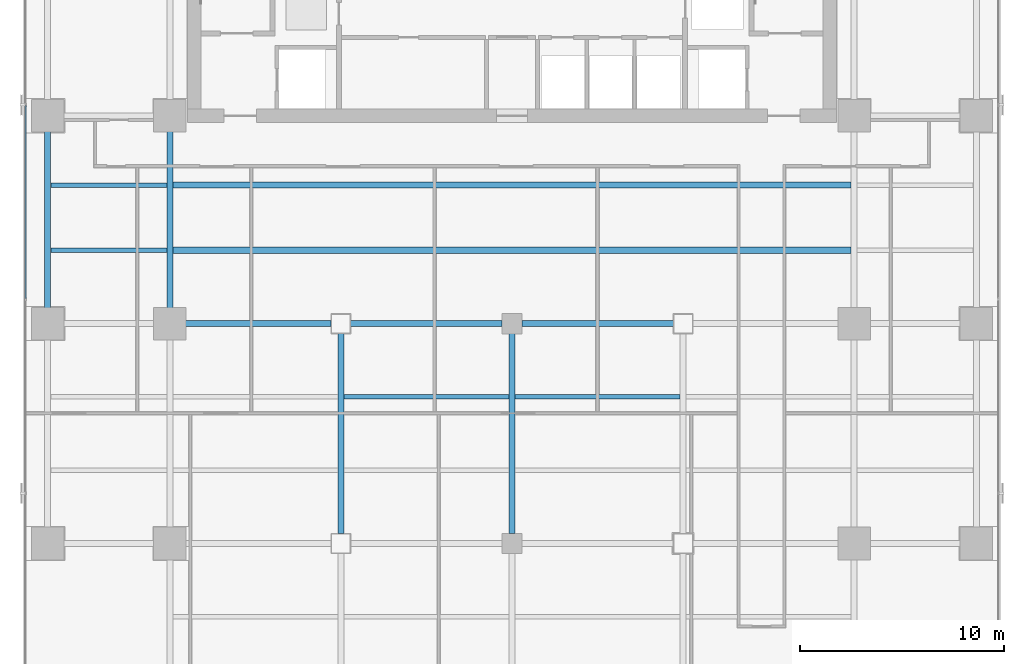
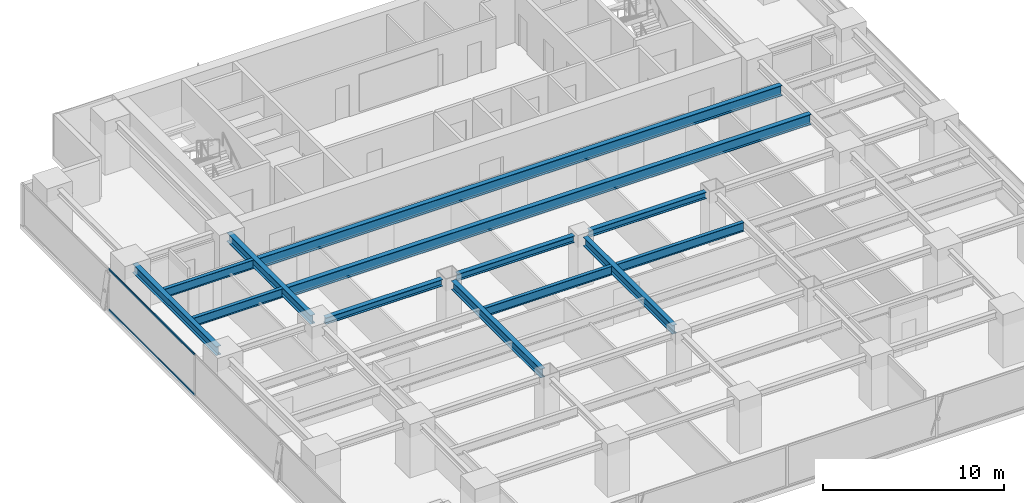
# One storey, part 8 of 29: 13 beams, 2 members, 1 element without a shape of its own.
"""IFC4 building model written with IfcOpenShell, lengths in metres."""

from ifc_helpers import new_model, si_unit, direction, frame, origin, origin_2d, place, context, subcontext, project, spatial, hollow_rectangle, i_section, extrude, source, transform, mapped, material, layer, layer_set, material_profile, profile_set, type_object, element, aggregate, save


model = new_model("IFC4")

# Units and contexts
model_context = context("Model", 3, precision=1e-05, world=origin(), true_north=direction((0.0, 1.0)))
body_context = subcontext(model_context, "Body", "Model", "MODEL_VIEW")
ifc_project = project(units=[si_unit("LENGTHUNIT", "METRE"), si_unit("AREAUNIT", "SQUARE_METRE"), si_unit("VOLUMEUNIT", "CUBIC_METRE"), si_unit("PLANEANGLEUNIT", "RADIAN"), si_unit("MASSUNIT", "GRAM", prefix="KILO")], contexts=[model_context])

# Site, building, storey
site_placement = place(None, origin())
site = spatial("IfcSite", under=ifc_project, at=site_placement, CompositionType="ELEMENT")
building_placement = place(site_placement, origin())
building = spatial("IfcBuilding", under=site, at=building_placement, Name="Sumidabori Civic Tower", CompositionType="ELEMENT")
storey_placement = place(building_placement, frame((0.0, 0.0, 131.60009765625)))
storey = spatial("IfcBuildingStorey", under=building, at=storey_placement, Name="L33", CompositionType="ELEMENT", Elevation=131.60009765625)

# Beams
ifc_material_1 = material(Name="Steel SN490", Category="steel")
ifc_material_profile_1 = material_profile(ifc_material_1, i_section(OverallWidth=0.300048828125, OverallDepth=0.60009765625, WebThickness=0.015380859375, FlangeThickness=0.030029296875, at=origin_2d()), Name="HE 600 B")
ifc_profile_set_1 = profile_set([ifc_material_profile_1], Name="Steel SN490")
beam_type_1 = type_object("IfcBeamType", Name="BM-GIRD-600", PredefinedType="BEAM", material=ifc_profile_set_1)
shared_shape_1 = source(origin(), body_context, "Body", "SweptSolid", [
    extrude(i_section(OverallWidth=0.300048828125, OverallDepth=0.60009765625, WebThickness=0.015380859375, FlangeThickness=0.030029296875, at=origin_2d()), origin(), (0.0, 0.0, 1.0), 9.840087890625),
])
for number, where, z_axis, x_axis, name in (
    (1, (-8.39990234375, -10.320068359375, 3.079833984375), (0.0, 1.0, 0.0), (-1.0, 0.0, 0.0), "Primary Girder L33 GY-27"),
    (2, (0.0, -10.320068359375, 3.079833984375), (0.0, 1.0, 0.0), (-1.0, 0.0, 0.0), "Primary Girder L33 GY-29"),
):
    element("IfcBeam", number, at=place(storey_placement, frame(where, z_axis=z_axis, x_axis=x_axis)), inside=storey, type_object=beam_type_1, Name=name, PredefinedType="BEAM", context=body_context, shape_type="MappedRepresentation", body=[
        mapped(shared_shape_1, transform((0.0, 0.0, 0.0), x_axis=(1.0, 0.0, 0.0), y_axis=(0.0, 1.0, 0.0), z_axis=(0.0, 0.0, 1.0), scale=1.0)),
    ])
shared_shape_2 = source(origin(), body_context, "Body", "SweptSolid", [
    extrude(i_section(OverallWidth=0.300048828125, OverallDepth=0.60009765625, WebThickness=0.015380859375, FlangeThickness=0.030029296875, at=origin_2d()), origin(), (0.0, 0.0, 1.0), 9.239990234375),
])
for number, where, z_axis, x_axis, name in (
    (3, (-22.800048828125, 0.47998046875, 3.079833984375), (0.0, 1.0, 0.0), (-1.0, 0.0, 0.0), "Primary Girder L33 GY-20"),
    (4, (-16.800048828125, 0.47998046875, 3.079833984375), (0.0, 1.0, 0.0), (-1.0, 0.0, 0.0), "Primary Girder L33 GY-24"),
):
    element("IfcBeam", number, at=place(storey_placement, frame(where, z_axis=z_axis, x_axis=x_axis)), inside=storey, type_object=beam_type_1, Name=name, PredefinedType="BEAM", context=body_context, shape_type="MappedRepresentation", body=[
        mapped(shared_shape_2, transform((0.0, 0.0, 0.0), x_axis=(1.0, 0.0, 0.0), y_axis=(0.0, 1.0, 0.0), z_axis=(0.0, 0.0, 1.0), scale=1.0)),
    ])
ifc_material_profile_2 = material_profile(ifc_material_1, i_section(OverallWidth=0.300048828125, OverallDepth=0.699951171875, WebThickness=0.01708984375, FlangeThickness=0.031982421875, at=origin_2d()), Name="HE 700 B")
ifc_profile_set_2 = profile_set([ifc_material_profile_2], Name="Steel SN490")
beam_type_2 = type_object("IfcBeamType", Name="BM-GIRD-700", PredefinedType="BEAM", material=ifc_profile_set_2)
shared_shape_3 = source(origin(), body_context, "Body", "SweptSolid", [
    extrude(i_section(OverallWidth=0.300048828125, OverallDepth=0.699951171875, WebThickness=0.01708984375, FlangeThickness=0.031982421875, at=origin_2d()), origin(), (0.0, 0.0, 1.0), 33.2998046875),
])
for number, where, z_axis, x_axis, name in (
    (5, (-16.64990234375, 3.60009765625, 3.02978515625), (1.0, 0.0, 0.0), (0.0, 1.0, 0.0), "North Bay Floor Beam L33 JSTN-47"),
    (6, (-16.64990234375, 6.800048828125, 3.02978515625), (1.0, 0.0, 0.0), (0.0, 1.0, 0.0), "North Bay Floor Beam L33 JSTN-48"),
):
    element("IfcBeam", number, at=place(storey_placement, frame(where, z_axis=z_axis, x_axis=x_axis)), inside=storey, type_object=beam_type_2, Name=name, PredefinedType="BEAM", context=body_context, shape_type="MappedRepresentation", body=[
        mapped(shared_shape_3, transform((0.0, 0.0, 0.0), x_axis=(1.0, 0.0, 0.0), y_axis=(0.0, 1.0, 0.0), z_axis=(0.0, 0.0, 1.0), scale=1.0)),
    ])
ifc_material_profile_3 = material_profile(ifc_material_1, i_section(OverallWidth=0.219970703125, OverallDepth=0.60009765625, WebThickness=0.011962890625, FlangeThickness=0.01904296875, at=origin_2d()), Name="IPE 600")
ifc_profile_set_3 = profile_set([ifc_material_profile_3], Name="Steel SN490")
beam_type_3 = type_object("IfcBeamType", Name="BM-JST-600", PredefinedType="JOIST", material=ifc_profile_set_3)
shared_shape_4 = source(origin(), body_context, "Body", "SweptSolid", [
    extrude(i_section(OverallWidth=0.219970703125, OverallDepth=0.60009765625, WebThickness=0.011962890625, FlangeThickness=0.01904296875, at=origin_2d()), origin(), (0.0, 0.0, 1.0), 5.699951171875),
])
for number, where, z_axis, x_axis, name in (
    (7, (-22.64990234375, 3.60009765625, 3.079833984375), (1.0, 0.0, 0.0), (0.0, 1.0, 0.0), "Outer Bay Floor Joist L33 JSTO-43"),
    (8, (-22.64990234375, 6.800048828125, 3.079833984375), (1.0, 0.0, 0.0), (0.0, 1.0, 0.0), "Outer Bay Floor Joist L33 JSTO-45"),
):
    element("IfcBeam", number, at=place(storey_placement, frame(where, z_axis=z_axis, x_axis=x_axis)), inside=storey, type_object=beam_type_3, Name=name, PredefinedType="JOIST", context=body_context, shape_type="MappedRepresentation", body=[
        mapped(shared_shape_4, transform((0.0, 0.0, 0.0), x_axis=(1.0, 0.0, 0.0), y_axis=(0.0, 1.0, 0.0), z_axis=(0.0, 0.0, 1.0), scale=1.0)),
    ])
shared_shape_5 = source(origin(), body_context, "Body", "SweptSolid", [
    extrude(i_section(OverallWidth=0.219970703125, OverallDepth=0.60009765625, WebThickness=0.011962890625, FlangeThickness=0.01904296875, at=origin_2d()), origin(), (0.0, 0.0, 1.0), 8.10009765625),
])
for number, where, z_axis, x_axis, name in (
    (9, (-8.25, -3.60009765625, 3.079833984375), (1.0, 0.0, 0.0), (0.0, 1.0, 0.0), "South Bay Floor Joist L33 JSTS-58"),
    (10, (0.14990234375, -3.60009765625, 3.079833984375), (1.0, 0.0, 0.0), (0.0, 1.0, 0.0), "South Bay Floor Joist L33 JSTS-59"),
):
    element("IfcBeam", number, at=place(storey_placement, frame(where, z_axis=z_axis, x_axis=x_axis)), inside=storey, type_object=beam_type_3, Name=name, PredefinedType="JOIST", context=body_context, shape_type="MappedRepresentation", body=[
        mapped(shared_shape_5, transform((0.0, 0.0, 0.0), x_axis=(1.0, 0.0, 0.0), y_axis=(0.0, 1.0, 0.0), z_axis=(0.0, 0.0, 1.0), scale=1.0)),
    ])
ifc_material_profile_4 = material_profile(ifc_material_1, i_section(OverallWidth=0.300048828125, OverallDepth=0.449951171875, WebThickness=0.013916015625, FlangeThickness=0.02587890625, at=origin_2d()), Name="HE 450 B")
ifc_profile_set_4 = profile_set([ifc_material_profile_4], Name="Steel SN490")
beam_type_4 = type_object("IfcBeamType", Name="BM-GIRD-450", PredefinedType="BEAM", material=ifc_profile_set_4)
shared_shape_6 = source(origin(), body_context, "Body", "SweptSolid", [
    extrude(i_section(OverallWidth=0.300048828125, OverallDepth=0.449951171875, WebThickness=0.013916015625, FlangeThickness=0.02587890625, at=origin_2d()), origin(), (0.0, 0.0, 1.0), 7.440185546875),
])
beam_placement = place(storey_placement, frame((-16.320068359375, 0.0, 3.15478515625), z_axis=(1.0, 0.0, 0.0), x_axis=(0.0, 1.0, 0.0)))
element("IfcBeam", 11, at=beam_placement, inside=storey, type_object=beam_type_4, Name="Primary Girder L33 GX-12", PredefinedType="BEAM", context=body_context, shape_type="MappedRepresentation", body=[
    mapped(shared_shape_6, transform((0.0, 0.0, 0.0), x_axis=(1.0, 0.0, 0.0), y_axis=(0.0, 1.0, 0.0), z_axis=(0.0, 0.0, 1.0), scale=1.0)),
])
shared_shape_7 = source(origin(), body_context, "Body", "SweptSolid", [
    extrude(i_section(OverallWidth=0.300048828125, OverallDepth=0.449951171875, WebThickness=0.013916015625, FlangeThickness=0.02587890625, at=origin_2d()), origin(), (0.0, 0.0, 1.0), 7.43994140625),
])
for number, where, z_axis, x_axis, name in (
    (12, (-7.919921875, 0.0, 3.15478515625), (1.0, 0.0, 0.0), (0.0, 1.0, 0.0), "Primary Girder L33 GX-13"),
    (13, (0.47998046875, 0.0, 3.15478515625), (1.0, 0.0, 0.0), (0.0, 1.0, 0.0), "Primary Girder L33 GX-14"),
):
    element("IfcBeam", number, at=place(storey_placement, frame(where, z_axis=z_axis, x_axis=x_axis)), inside=storey, type_object=beam_type_4, Name=name, PredefinedType="BEAM", context=body_context, shape_type="MappedRepresentation", body=[
        mapped(shared_shape_7, transform((0.0, 0.0, 0.0), x_axis=(1.0, 0.0, 0.0), y_axis=(0.0, 1.0, 0.0), z_axis=(0.0, 0.0, 1.0), scale=1.0)),
    ])

# Curtain wall, members
ifc_material_2 = material(Name="Anodised Bronze Aluminium AW-6063-T6", Category="aluminium")
ifc_layer = layer(ifc_material_2, 0.179931640625, Name="Anodised Bronze Aluminium AW-6063-T6")
ifc_layer_set = layer_set([ifc_layer], Name="Anodised Bronze Aluminium AW-6063-T6")
curtain_wall_type = type_object("IfcCurtainWallType", Name="CW-SYS-3", PredefinedType="NOTDEFINED", material=ifc_layer_set)
curtain_wall_placement = place(storey_placement, origin())
curtain_wall = element("IfcCurtainWall", 14, at=curtain_wall_placement, inside=storey, type_object=curtain_wall_type, Name="Curtain Wall CW:L33:R10", PredefinedType="NOTDEFINED")
ifc_material_profile_5 = material_profile(ifc_material_2, hollow_rectangle(XDim=0.06005859375, YDim=0.1298828125, WallThickness=0.0048828125, at=origin_2d()), Name="ALU TRANSOM 130x60")
ifc_profile_set_5 = profile_set([ifc_material_profile_5], Name="Anodised Bronze Aluminium AW-6063-T6")
member_type = type_object("IfcMemberType", Name="CW-TRN-130", PredefinedType="USERDEFINED", material=ifc_profile_set_5)
shared_shape_8 = source(origin(), body_context, "Body", "SweptSolid", [
    extrude(hollow_rectangle(XDim=0.06005859375, YDim=0.1298828125, WallThickness=0.0048828125, at=origin_2d()), origin(), (0.0, 0.0, 1.0), 9.469970703125),
])
member_1_placement = place(storey_placement, frame((-23.8798828125, 10.702392578125, 0.02978515625), z_axis=(0.0, -1.0, 0.0), x_axis=(1.0, 0.0, 0.0)))
member_1 = element("IfcMember", 15, at=member_1_placement, type_object=member_type, Name="CW-3 transom 2.1", ObjectType="TRANSOM", PredefinedType="USERDEFINED", context=body_context, shape_type="MappedRepresentation", body=[
    mapped(shared_shape_8, transform((0.0, 0.0, 0.0), x_axis=(1.0, 0.0, 0.0), y_axis=(0.0, 1.0, 0.0), z_axis=(0.0, 0.0, 1.0), scale=1.0)),
])
member_2_placement = place(storey_placement, frame((-23.8798828125, 10.702392578125, 2.72998046875), z_axis=(0.0, -1.0, 0.0), x_axis=(1.0, 0.0, 0.0)))
member_2 = element("IfcMember", 16, at=member_2_placement, type_object=member_type, Name="CW-3 transom 2.2", ObjectType="TRANSOM", PredefinedType="USERDEFINED", context=body_context, shape_type="MappedRepresentation", body=[
    mapped(shared_shape_8, transform((0.0, 0.0, 0.0), x_axis=(1.0, 0.0, 0.0), y_axis=(0.0, 1.0, 0.0), z_axis=(0.0, 0.0, 1.0), scale=1.0)),
])
aggregate(curtain_wall, [member_1, member_2])

save(model, "model.ifc")
